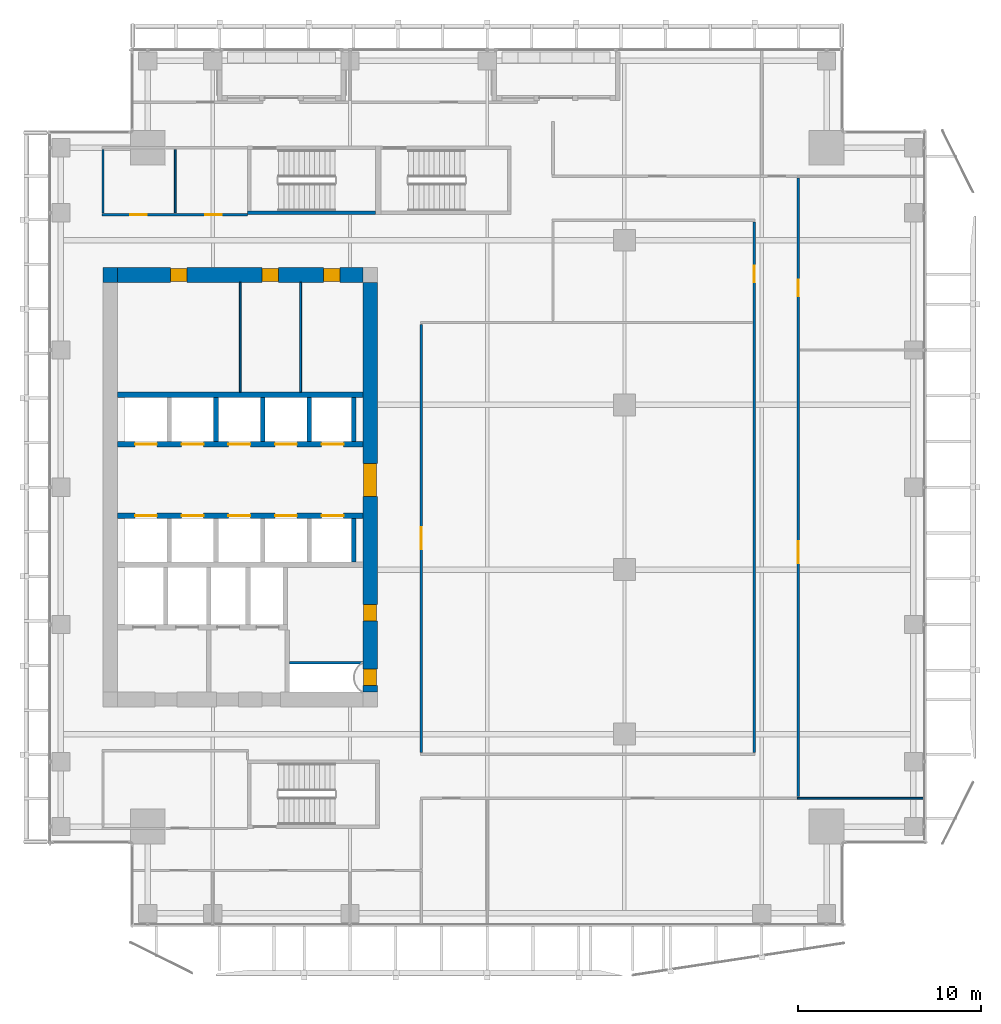
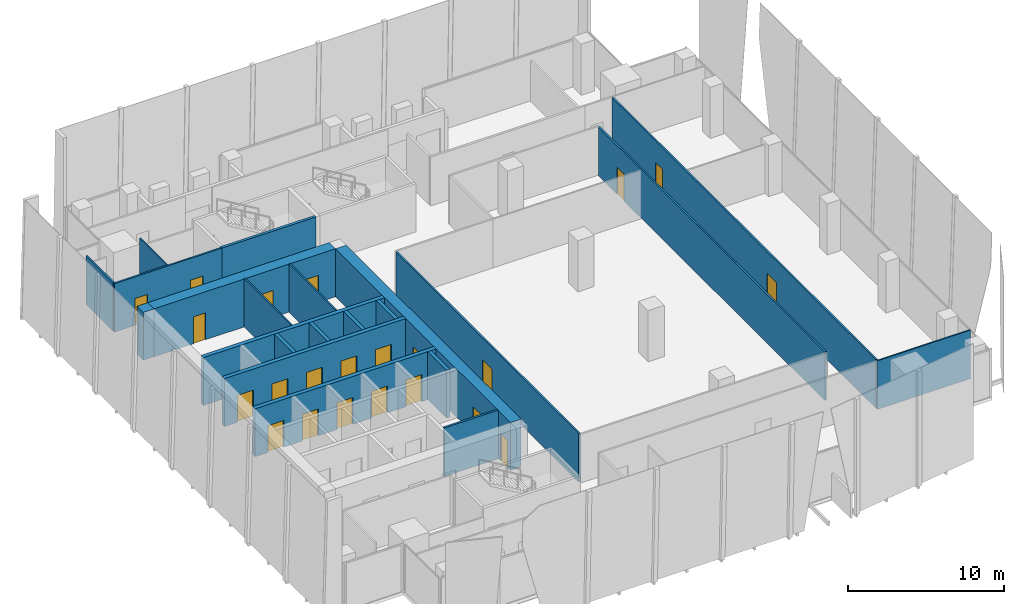
# One storey, part 29 of 35: 22 doors, 22 walls, 22 openings.
"""IFC4 building model written with IfcOpenShell, lengths in metres."""

import ifcopenshell
import ifcopenshell.guid

model = None  # the IFC model being written
_history = None  # IfcOwnerHistory: only IFC2X3 demands one
_inside = {}  # id of a spatial element -> (the spatial element, [elements in it])
_under = {}  # id of a project, library or spatial element -> (it, [spatial elements below it])
_declared = {}  # id of a project -> (the project, [libraries it declares])
_typed = {}  # id of a type object -> (the type object, [elements of that type])
_made_of = {}  # id of a material, layer set ... -> (it, [elements and type objects made of it])


def new_model(schema):
    """Start an empty IFC model of exactly this schema.

    Asked for "IFC4X3", IfcOpenShell would pick the latest addendum, in which some entities
    have other attributes; the version numbers below select the first issue.
    IFC2X3 requires an IfcOwnerHistory on every rooted entity: one is made here for all.
    """
    global model, _history
    if schema == "IFC4X3":
        model = ifcopenshell.file(schema_version=(4, 3, 0, 0))
    else:
        model = ifcopenshell.file(schema=schema)
    _inside.clear()
    _under.clear()
    _declared.clear()
    _typed.clear()
    _made_of.clear()
    _history = None
    if model.schema == "IFC2X3":
        org = make("IfcOrganization", Name="unknown")
        user = make(
            "IfcPersonAndOrganization",
            ThePerson=make("IfcPerson", FamilyName="unknown"),
            TheOrganization=org,
        )
        app = make(
            "IfcApplication",
            ApplicationDeveloper=org,
            Version="unknown",
            ApplicationFullName="unknown",
            ApplicationIdentifier="unknown",
        )
        _history = make(
            "IfcOwnerHistory",
            OwningUser=user,
            OwningApplication=app,
            ChangeAction="ADDED",
            CreationDate=0,
        )
    return model


def make(cls, **values):
    """One entity of the class cls with the attributes given. An attribute that is None is left unset."""
    return model.create_entity(
        cls, **{name: value for name, value in values.items() if value is not None}
    )


def rooted(cls, **values):
    """An entity with a GlobalId (a new one), such as an element, a storey or a relation."""
    return make(cls, GlobalId=ifcopenshell.guid.new(), OwnerHistory=_history, **values)


def si_unit(unit_type, name, prefix=None):
    """IfcSIUnit, for example si_unit("LENGTHUNIT", "METRE", prefix="MILLI")."""
    return make("IfcSIUnit", UnitType=unit_type, Prefix=prefix, Name=name)


def assignment(units):
    """IfcUnitAssignment: the units of a project."""
    return None if units is None else make("IfcUnitAssignment", Units=units)


def point(xyz):
    """IfcCartesianPoint."""
    return None if xyz is None else make("IfcCartesianPoint", Coordinates=xyz)


def direction(xyz):
    """IfcDirection."""
    return None if xyz is None else make("IfcDirection", DirectionRatios=xyz)


def frame(location, z_axis=None, x_axis=None):
    """IfcAxis2Placement3D, a coordinate frame: its origin and axes. An axis left out is left unset."""
    return make(
        "IfcAxis2Placement3D",
        Location=point(location),
        Axis=direction(z_axis),
        RefDirection=direction(x_axis),
    )


def frame_2d(location, x_axis=None):
    """IfcAxis2Placement2D, a coordinate frame in the plane: its origin and x axis."""
    return make(
        "IfcAxis2Placement2D", Location=point(location), RefDirection=direction(x_axis)
    )


def origin():
    """The frame at (0, 0, 0) with its axes left unset."""
    return frame((0.0, 0.0, 0.0))


def place(relative_to, where):
    """IfcLocalPlacement: puts the frame where relative to a parent placement (None: the world)."""
    return make(
        "IfcLocalPlacement", PlacementRelTo=relative_to, RelativePlacement=where
    )


def context(
    kind, dimensions, precision=None, world=None, true_north=None, identifier=None
):
    """IfcGeometricRepresentationContext, for example the 3D "Model" context."""
    return make(
        "IfcGeometricRepresentationContext",
        ContextIdentifier=identifier,
        ContextType=kind,
        CoordinateSpaceDimension=dimensions,
        Precision=precision,
        WorldCoordinateSystem=world,
        TrueNorth=true_north,
    )


def subcontext(parent, identifier, kind, view, scale=None):
    """IfcGeometricRepresentationSubContext, for example "Body" below "Model"."""
    return make(
        "IfcGeometricRepresentationSubContext",
        ContextIdentifier=identifier,
        ContextType=kind,
        ParentContext=parent,
        TargetScale=scale,
        TargetView=view,
    )


def project(units=None, contexts=None):
    """IfcProject with its units and contexts."""
    return rooted(
        "IfcProject",
        Name="project",
        RepresentationContexts=contexts,
        UnitsInContext=assignment(units),
    )


def spatial(cls, under=None, at=None, **own):
    """A site, building, storey or space (cls), placed at a placement, below another one or the project."""
    s = rooted(cls, ObjectPlacement=at, **own)
    if under is not None:
        _under.setdefault(under.id(), (under, []))[1].append(s)
    return s


def profile(cls, at=None, kind="AREA", **sizes):
    """A parametric profile (cls). Its sizes go by their IFC names, for example OverallWidth=200.0."""
    return make(cls, ProfileType=kind, Position=at, **sizes)


def rectangle(**sizes):
    """IfcRectangleProfileDef."""
    return profile("IfcRectangleProfileDef", **sizes)


def extrude(swept, where, along, depth):
    """IfcExtrudedAreaSolid: the profile swept, set in the frame where, extruded along a direction by depth."""
    return make(
        "IfcExtrudedAreaSolid",
        SweptArea=swept,
        Position=where,
        ExtrudedDirection=direction(along),
        Depth=depth,
    )


def shape(context_of_items, identifier, shape_type, items):
    """IfcShapeRepresentation: the items that make up one representation, for example the "Body"."""
    return make(
        "IfcShapeRepresentation",
        ContextOfItems=context_of_items,
        RepresentationIdentifier=identifier,
        RepresentationType=shape_type,
        Items=items,
    )


def source(mapping_origin, context_of_items, identifier, shape_type, items):
    """IfcRepresentationMap: a shape defined once, which mapped items show again and again."""
    return make(
        "IfcRepresentationMap",
        MappingOrigin=mapping_origin,
        MappedRepresentation=shape(context_of_items, identifier, shape_type, items),
    )


def transform(
    local_origin,
    x_axis=None,
    y_axis=None,
    z_axis=None,
    scale=None,
    scale2=None,
    scale3=None,
    uniform=True,
):
    """IfcCartesianTransformationOperator3D, or its non-uniform kind. x_axis, y_axis, z_axis: its Axis1, 2, 3."""
    if uniform:
        return make(
            "IfcCartesianTransformationOperator3D",
            Axis1=direction(x_axis),
            Axis2=direction(y_axis),
            LocalOrigin=point(local_origin),
            Scale=scale,
            Axis3=direction(z_axis),
        )
    return make(
        "IfcCartesianTransformationOperator3DnonUniform",
        Axis1=direction(x_axis),
        Axis2=direction(y_axis),
        LocalOrigin=point(local_origin),
        Scale=scale,
        Axis3=direction(z_axis),
        Scale2=scale2,
        Scale3=scale3,
    )


def mapped(mapping_source, mapping_target):
    """IfcMappedItem: shows the shape of a source again, moved by a transform."""
    return make(
        "IfcMappedItem", MappingSource=mapping_source, MappingTarget=mapping_target
    )


def material(Name=None, Category=None):
    """IfcMaterial."""
    return make("IfcMaterial", Name=Name, Category=Category)


def layer(
    of_material, thickness, ventilated=None, Name=None, Category=None, Priority=None
):
    """IfcMaterialLayer: one layer of a wall or slab, of a material (None: an air gap)."""
    return make(
        "IfcMaterialLayer",
        Material=of_material,
        LayerThickness=thickness,
        IsVentilated=ventilated,
        Name=Name,
        Category=Category,
        Priority=Priority,
    )


def layer_set(layers, Name=None):
    """IfcMaterialLayerSet."""
    return make("IfcMaterialLayerSet", MaterialLayers=layers, LayerSetName=Name)


def made_of(thing, what):
    """Note that an element or type object is made of a material, layer set ...; save() writes the relation."""
    if what is not None:
        _made_of.setdefault(what.id(), (what, []))[1].append(thing)
    return thing


def type_object(cls, material=None, **own):
    """A type object (cls), such as IfcWallType, which elements share."""
    return made_of(rooted(cls, **own), material)


def element(
    cls,
    number,
    at=None,
    inside=None,
    cuts=None,
    type_object=None,
    material=None,
    context=None,
    identifier="Body",
    shape_type=None,
    held_by="IfcProductDefinitionShape",
    body=None,
    shapes=None,
    **own,
):
    """One element of the class cls, such as IfcWall. Its Tag is "e" and its number.

    at: its placement. inside: the storey or other place that contains it. cuts: it is an
    opening in that element (IfcRelVoidsElement). A single representation is given by context,
    identifier, shape_type and body (its items); several are given by shapes. held_by: the class
    of the entity that holds the representations. save() writes the other relations.
    """
    e = rooted(cls, Tag="e%d" % number, ObjectPlacement=at, **own)
    if body is not None:
        shapes = [shape(context, identifier, shape_type, body)]
    if shapes is not None:
        e.Representation = make(held_by, Representations=shapes)
    if inside is not None:
        _inside.setdefault(inside.id(), (inside, []))[1].append(e)
    if cuts is not None:
        rooted(
            "IfcRelVoidsElement", RelatingBuildingElement=cuts, RelatedOpeningElement=e
        )
    if type_object is not None:
        _typed.setdefault(type_object.id(), (type_object, []))[1].append(e)
    return made_of(e, material)


def fill(opening, filler):
    """IfcRelFillsElement: the door or window that sits in an opening."""
    return rooted(
        "IfcRelFillsElement",
        RelatingOpeningElement=opening,
        RelatedBuildingElement=filler,
    )


def aggregate(whole, parts):
    """IfcRelAggregates: a whole, such as a stair, and the parts it consists of."""
    return rooted("IfcRelAggregates", RelatingObject=whole, RelatedObjects=parts)


def save(model, path):
    """Write the relations noted so far, then the file.

    IfcRelAggregates (storeys below a building ...), IfcRelContainedInSpatialStructure (elements
    in a storey), IfcRelDefinesByType, IfcRelAssociatesMaterial and IfcRelDeclares: one each for
    every whole, place, type object, material and project.
    """
    for whole, parts in _under.values():
        aggregate(whole, parts)
    for where, things in _inside.values():
        rooted(
            "IfcRelContainedInSpatialStructure",
            RelatedElements=things,
            RelatingStructure=where,
        )
    for kind, things in _typed.values():
        rooted("IfcRelDefinesByType", RelatedObjects=things, RelatingType=kind)
    for what, things in _made_of.values():
        rooted("IfcRelAssociatesMaterial", RelatedObjects=things, RelatingMaterial=what)
    for by, libraries in _declared.values():
        rooted("IfcRelDeclares", RelatingContext=by, RelatedDefinitions=libraries)
    model.write(path)


model = new_model("IFC4")

# Units and contexts
model_context = context("Model", 3, precision=1e-05, world=origin(), true_north=direction((0.0, 1.0)))
body_context = subcontext(model_context, "Body", "Model", "MODEL_VIEW")
ifc_project = project(units=[si_unit("LENGTHUNIT", "METRE"), si_unit("AREAUNIT", "SQUARE_METRE"), si_unit("VOLUMEUNIT", "CUBIC_METRE"), si_unit("PLANEANGLEUNIT", "RADIAN"), si_unit("MASSUNIT", "GRAM", prefix="KILO")], contexts=[model_context])

# Site, building, storey
site_placement = place(None, origin())
site = spatial("IfcSite", under=ifc_project, at=site_placement, CompositionType="ELEMENT")
building_placement = place(site_placement, origin())
building = spatial("IfcBuilding", under=site, at=building_placement, Name="Khomas Fold Tower", CompositionType="ELEMENT")
storey_placement = place(building_placement, frame((0.0, 0.0, 212.699951171875)))
storey = spatial("IfcBuildingStorey", under=building, at=storey_placement, Name="L47", CompositionType="ELEMENT", Elevation=212.699951171875)

# Wall, openings, doors
ifc_material_1 = material(Name="Concrete C60/75", Category="concrete")
ifc_layer_1 = layer(ifc_material_1, 0.800048828125)
ifc_layer_set_1 = layer_set([ifc_layer_1], Name="Concrete C60/75")
wall_type_1 = type_object("IfcWallType", Name="Core wall 800", PredefinedType="SHEAR", material=ifc_layer_set_1)
shared_shape_1 = source(origin(), body_context, "Body", "SweptSolid", [
    extrude(rectangle(XDim=13.39990234375, YDim=0.800048828125, at=frame_2d((6.699951171875, 0.0))), origin(), (0.0, 0.0, 1.0), 3.75),
])
wall_1_placement = place(storey_placement, frame((6.800048828125, 38.60009765625, 0.0), z_axis=(0.0, 0.0, 1.0), x_axis=(1.0, 0.0, 0.0)))
wall_1 = element("IfcWall", 1, at=wall_1_placement, inside=storey, type_object=wall_type_1, Name="Core wall CW-U-N-L35", PredefinedType="SHEAR", context=body_context, shape_type="MappedRepresentation", body=[
    mapped(shared_shape_1, transform((0.0, 0.0, 0.0))),
])
shared_shape_2 = source(origin(), body_context, "Body", "SweptSolid", [
    extrude(rectangle(XDim=0.89990234375, YDim=2.10009765625, at=frame_2d((0.449951171875, 1.050048828125))), frame((0.0, 0.409912109375, 0.0), z_axis=(0.0, -1.0, 0.0), x_axis=(1.0, 0.0, 0.0)), (0.0, 0.0, 1.0), 0.820068359375),
])
opening_1_placement = place(wall_1_placement, frame((2.89990234375, 0.0, 0.0)))
opening_1 = element("IfcOpeningElement", 2, at=opening_1_placement, cuts=wall_1, Name="Opening 0008", PredefinedType="OPENING", context=body_context, shape_type="MappedRepresentation", body=[
    mapped(shared_shape_2, transform((0.0, 0.0, 0.0))),
])
opening_2_placement = place(wall_1_placement, frame((7.89990234375, 0.0, 0.0)))
opening_2 = element("IfcOpeningElement", 3, at=opening_2_placement, cuts=wall_1, Name="Opening 0008", PredefinedType="OPENING", context=body_context, shape_type="MappedRepresentation", body=[
    mapped(shared_shape_2, transform((0.0, 0.0, 0.0))),
])
opening_3_placement = place(wall_1_placement, frame((11.25, 0.0, 0.0)))
opening_3 = element("IfcOpeningElement", 4, at=opening_3_placement, cuts=wall_1, Name="Opening 0008", PredefinedType="OPENING", context=body_context, shape_type="MappedRepresentation", body=[
    mapped(shared_shape_2, transform((0.0, 0.0, 0.0))),
])
ifc_material_2 = material(Name="Timber door leaf", Category="wood")
door_type_1 = type_object("IfcDoorType", Name="Door 900x2100 right-hand", OperationType="SINGLE_SWING_RIGHT", PredefinedType="DOOR", material=ifc_material_2)
shared_shape_3 = source(origin(), body_context, "Body", "SweptSolid", [
    extrude(rectangle(XDim=0.89990234375, YDim=2.10009765625, at=frame_2d((0.449951171875, 1.050048828125))), frame((0.0, 0.35009765625, 0.0), z_axis=(0.0, -1.0, 0.0), x_axis=(1.0, 0.0, 0.0)), (0.0, 0.0, 1.0), 0.699951171875),
])
door_1_placement = place(opening_1_placement, origin())
door_1 = element("IfcDoor", 5, at=door_1_placement, inside=storey, type_object=door_type_1, Name="Door", OperationType="SINGLE_SWING_RIGHT", OverallHeight=2.10009765625, OverallWidth=0.89990234375, PredefinedType="DOOR", context=body_context, shape_type="MappedRepresentation", body=[
    mapped(shared_shape_3, transform((0.0, 0.0, 0.0))),
])
fill(opening_1, door_1)
door_2_placement = place(opening_2_placement, origin())
door_2 = element("IfcDoor", 6, at=door_2_placement, inside=storey, type_object=door_type_1, Name="Door", OperationType="SINGLE_SWING_RIGHT", OverallHeight=2.10009765625, OverallWidth=0.89990234375, PredefinedType="DOOR", context=body_context, shape_type="MappedRepresentation", body=[
    mapped(shared_shape_3, transform((0.0, 0.0, 0.0))),
])
fill(opening_2, door_2)
door_3_placement = place(opening_3_placement, origin())
door_3 = element("IfcDoor", 7, at=door_3_placement, inside=storey, type_object=door_type_1, Name="Door", OperationType="SINGLE_SWING_RIGHT", OverallHeight=2.10009765625, OverallWidth=0.89990234375, PredefinedType="DOOR", context=body_context, shape_type="MappedRepresentation", body=[
    mapped(shared_shape_3, transform((0.0, 0.0, 0.0))),
])
fill(opening_3, door_3)

# Wall
ifc_material_3 = material(Name="Concrete C60/75", Category="concrete")
ifc_layer_2 = layer(ifc_material_3, 0.800048828125)
ifc_layer_set_2 = layer_set([ifc_layer_2], Name="Concrete C60/75")
wall_type_2 = type_object("IfcWallType", Name="Core corner wall 800", PredefinedType="SHEAR", material=ifc_layer_set_2)
shared_shape_4 = source(origin(), body_context, "Body", "SweptSolid", [
    extrude(rectangle(XDim=0.800048828125, YDim=0.800048828125, at=frame_2d((0.39990234375, 0.0))), origin(), (0.0, 0.0, 1.0), 3.75),
])
wall_2_placement = place(storey_placement, frame((6.0, 38.60009765625, 0.0), z_axis=(0.0, 0.0, 1.0), x_axis=(1.0, 0.0, 0.0)))
element("IfcWall", 8, at=wall_2_placement, inside=storey, type_object=wall_type_2, Name="Core wall CW-U-NW-L35", PredefinedType="SHEAR", context=body_context, shape_type="MappedRepresentation", body=[
    mapped(shared_shape_4, transform((0.0, 0.0, 0.0))),
])

# Wall, openings, doors
shared_shape_5 = source(origin(), body_context, "Body", "SweptSolid", [
    extrude(rectangle(XDim=22.39990234375, YDim=0.800048828125, at=frame_2d((11.199951171875, 0.0))), origin(), (0.0, 0.0, 1.0), 3.75),
])
wall_3_placement = place(storey_placement, frame((20.60009765625, 15.800048828125, 0.0), z_axis=(0.0, 0.0, 1.0), x_axis=(0.0, 1.0, 0.0)))
wall_3 = element("IfcWall", 9, at=wall_3_placement, inside=storey, type_object=wall_type_1, Name="Core wall CW-U-E-L35", PredefinedType="SHEAR", context=body_context, shape_type="MappedRepresentation", body=[
    mapped(shared_shape_5, transform((0.0, 0.0, 0.0))),
])
shared_shape_6 = source(origin(), body_context, "Body", "SweptSolid", [
    extrude(rectangle(XDim=1.800048828125, YDim=2.10009765625, at=frame_2d((0.89990234375, 1.050048828125))), frame((0.0, 0.409912109375, 0.0), z_axis=(0.0, -1.0, 0.0), x_axis=(1.0, 0.0, 0.0)), (0.0, 0.0, 1.0), 0.820068359375),
])
opening_4_placement = place(wall_3_placement, frame((10.699951171875, 0.0, 0.0)))
opening_4 = element("IfcOpeningElement", 10, at=opening_4_placement, cuts=wall_3, Name="Opening 0015", PredefinedType="OPENING", context=body_context, shape_type="MappedRepresentation", body=[
    mapped(shared_shape_6, transform((0.0, 0.0, 0.0))),
])
opening_5_placement = place(wall_3_placement, frame((0.35009765625, 0.0, 0.0)))
opening_5 = element("IfcOpeningElement", 11, at=opening_5_placement, cuts=wall_3, Name="Opening 0003", PredefinedType="OPENING", context=body_context, shape_type="MappedRepresentation", body=[
    mapped(shared_shape_2, transform((0.0, 0.0, 0.0))),
])
opening_6_placement = place(wall_3_placement, frame((3.89990234375, 0.0, 0.0)))
opening_6 = element("IfcOpeningElement", 12, at=opening_6_placement, cuts=wall_3, Name="Opening 0008", PredefinedType="OPENING", context=body_context, shape_type="MappedRepresentation", body=[
    mapped(shared_shape_2, transform((0.0, 0.0, 0.0))),
])
ifc_material_4 = material(Name="Steel door leaf", Category="steel")
door_type_2 = type_object("IfcDoorType", Name="Lobby door 1800x2100", OperationType="DOUBLE_DOOR_SINGLE_SWING", PredefinedType="DOOR", material=ifc_material_4)
shared_shape_7 = source(origin(), body_context, "Body", "SweptSolid", [
    extrude(rectangle(XDim=1.800048828125, YDim=2.10009765625, at=frame_2d((0.89990234375, 1.050048828125))), frame((0.0, 0.35009765625, 0.0), z_axis=(0.0, -1.0, 0.0), x_axis=(1.0, 0.0, 0.0)), (0.0, 0.0, 1.0), 0.699951171875),
])
door_4_placement = place(opening_4_placement, origin())
door_4 = element("IfcDoor", 13, at=door_4_placement, inside=storey, type_object=door_type_2, Name="Lobby door", OperationType="DOUBLE_DOOR_SINGLE_SWING", OverallHeight=2.10009765625, OverallWidth=1.800048828125, PredefinedType="DOOR", context=body_context, shape_type="MappedRepresentation", body=[
    mapped(shared_shape_7, transform((0.0, 0.0, 0.0))),
])
fill(opening_4, door_4)
ifc_material_5 = material(Name="Steel door leaf", Category="steel")
door_type_3 = type_object("IfcDoorType", Name="Plant room door 900x2100 right-hand", OperationType="SINGLE_SWING_RIGHT", PredefinedType="DOOR", material=ifc_material_5)
door_5_placement = place(opening_5_placement, origin())
door_5 = element("IfcDoor", 14, at=door_5_placement, inside=storey, type_object=door_type_3, Name="Plant room door", OperationType="SINGLE_SWING_RIGHT", OverallHeight=2.10009765625, OverallWidth=0.89990234375, PredefinedType="DOOR", context=body_context, shape_type="MappedRepresentation", body=[
    mapped(shared_shape_3, transform((0.0, 0.0, 0.0))),
])
fill(opening_5, door_5)
door_6_placement = place(opening_6_placement, origin())
door_6 = element("IfcDoor", 15, at=door_6_placement, inside=storey, type_object=door_type_1, Name="Door", OperationType="SINGLE_SWING_RIGHT", OverallHeight=2.10009765625, OverallWidth=0.89990234375, PredefinedType="DOOR", context=body_context, shape_type="MappedRepresentation", body=[
    mapped(shared_shape_3, transform((0.0, 0.0, 0.0))),
])
fill(opening_6, door_6)

# Walls
ifc_material_6 = material(Name="Concrete C50/60", Category="concrete")
ifc_layer_3 = layer(ifc_material_6, 0.199951171875)
ifc_layer_set_3 = layer_set([ifc_layer_3], Name="Concrete C50/60")
wall_type_3 = type_object("IfcWallType", Name="Stair wall 200", PredefinedType="SHEAR", material=ifc_layer_set_3)
shared_shape_8 = source(origin(), body_context, "Body", "SweptSolid", [
    extrude(rectangle(XDim=7.0, YDim=0.199951171875, at=frame_2d((3.5, 0.0))), origin(), (0.0, 0.0, 1.0), 3.75),
])
wall_4_placement = place(storey_placement, frame((13.89990234375, 42.0, 0.0), z_axis=(0.0, 0.0, 1.0), x_axis=(1.0, 0.0, 0.0)))
element("IfcWall", 16, at=wall_4_placement, inside=storey, type_object=wall_type_3, Name="Stair wall SW-ST1-S", PredefinedType="SHEAR", context=body_context, shape_type="MappedRepresentation", body=[
    mapped(shared_shape_8, transform((0.0, 0.0, 0.0))),
])
ifc_material_7 = material(Name="Concrete C50/60", Category="concrete")
ifc_layer_4 = layer(ifc_material_7, 0.300048828125)
ifc_layer_set_4 = layer_set([ifc_layer_4], Name="Concrete C50/60")
wall_type_4 = type_object("IfcWallType", Name="Shaft wall 300", PredefinedType="STANDARD", material=ifc_layer_set_4)
shared_shape_9 = source(origin(), body_context, "Body", "SweptSolid", [
    extrude(rectangle(XDim=13.39990234375, YDim=0.300048828125, at=frame_2d((6.699951171875, 0.0))), origin(), (0.0, 0.0, 1.0), 3.75),
])
wall_5_placement = place(storey_placement, frame((6.800048828125, 32.050048828125, 0.0), z_axis=(0.0, 0.0, 1.0), x_axis=(1.0, 0.0, 0.0)))
element("IfcWall", 17, at=wall_5_placement, inside=storey, type_object=wall_type_4, Name="Core wall SW-HRN-B", PredefinedType="STANDARD", context=body_context, shape_type="MappedRepresentation", body=[
    mapped(shared_shape_9, transform((0.0, 0.0, 0.0))),
])

# Wall, openings, doors
wall_6_placement = place(storey_placement, frame((6.800048828125, 29.35009765625, 0.0), z_axis=(0.0, 0.0, 1.0), x_axis=(1.0, 0.0, 0.0)))
wall_6 = element("IfcWall", 18, at=wall_6_placement, inside=storey, type_object=wall_type_4, Name="Core wall SW-HRN-F", PredefinedType="STANDARD", context=body_context, shape_type="MappedRepresentation", body=[
    mapped(shared_shape_9, transform((0.0, 0.0, 0.0))),
])
shared_shape_10 = source(origin(), body_context, "Body", "SweptSolid", [
    extrude(rectangle(XDim=1.199951171875, YDim=2.10009765625, at=frame_2d((0.60009765625, 1.050048828125))), frame((0.0, 0.159912109375, 0.0), z_axis=(0.0, -1.0, 0.0), x_axis=(1.0, 0.0, 0.0)), (0.0, 0.0, 1.0), 0.320068359375),
])
opening_7_placement = place(wall_6_placement, frame((0.949951171875, 0.0, 0.0)))
opening_7 = element("IfcOpeningElement", 19, at=opening_7_placement, cuts=wall_6, Name="Opening LD-HR4", PredefinedType="OPENING", context=body_context, shape_type="MappedRepresentation", body=[
    mapped(shared_shape_10, transform((0.0, 0.0, 0.0))),
])
opening_8_placement = place(wall_6_placement, frame((3.5, 0.0, 0.0)))
opening_8 = element("IfcOpeningElement", 20, at=opening_8_placement, cuts=wall_6, Name="Opening LD-HR5", PredefinedType="OPENING", context=body_context, shape_type="MappedRepresentation", body=[
    mapped(shared_shape_10, transform((0.0, 0.0, 0.0))),
])
opening_9_placement = place(wall_6_placement, frame((6.050048828125, 0.0, 0.0)))
opening_9 = element("IfcOpeningElement", 21, at=opening_9_placement, cuts=wall_6, Name="Opening LD-HR6", PredefinedType="OPENING", context=body_context, shape_type="MappedRepresentation", body=[
    mapped(shared_shape_10, transform((0.0, 0.0, 0.0))),
])
opening_10_placement = place(wall_6_placement, frame((8.60009765625, 0.0, 0.0)))
opening_10 = element("IfcOpeningElement", 22, at=opening_10_placement, cuts=wall_6, Name="Opening LD-MR3", PredefinedType="OPENING", context=body_context, shape_type="MappedRepresentation", body=[
    mapped(shared_shape_10, transform((0.0, 0.0, 0.0))),
])
opening_11_placement = place(wall_6_placement, frame((11.14990234375, 0.0, 0.0)))
opening_11 = element("IfcOpeningElement", 23, at=opening_11_placement, cuts=wall_6, Name="Opening LD-MR4", PredefinedType="OPENING", context=body_context, shape_type="MappedRepresentation", body=[
    mapped(shared_shape_10, transform((0.0, 0.0, 0.0))),
])
ifc_material_8 = material(Name="Steel door leaf", Category="steel")
door_type_4 = type_object("IfcDoorType", Name="Landing door 1200x2100", OperationType="DOUBLE_DOOR_SLIDING", PredefinedType="DOOR", material=ifc_material_8)
shared_shape_11 = source(origin(), body_context, "Body", "SweptSolid", [
    extrude(rectangle(XDim=1.199951171875, YDim=2.10009765625, at=frame_2d((0.60009765625, 1.050048828125))), frame((0.0, 0.02490234375, 0.0), z_axis=(0.0, -1.0, 0.0), x_axis=(1.0, 0.0, 0.0)), (0.0, 0.0, 1.0), 0.050048828125),
])
door_7_placement = place(opening_7_placement, origin())
door_7 = element("IfcDoor", 24, at=door_7_placement, inside=storey, type_object=door_type_4, Name="Lift landing door", OperationType="DOUBLE_DOOR_SLIDING", OverallHeight=2.10009765625, OverallWidth=1.199951171875, PredefinedType="DOOR", context=body_context, shape_type="MappedRepresentation", body=[
    mapped(shared_shape_11, transform((0.0, 0.0, 0.0))),
])
fill(opening_7, door_7)
door_8_placement = place(opening_8_placement, origin())
door_8 = element("IfcDoor", 25, at=door_8_placement, inside=storey, type_object=door_type_4, Name="Lift landing door", OperationType="DOUBLE_DOOR_SLIDING", OverallHeight=2.10009765625, OverallWidth=1.199951171875, PredefinedType="DOOR", context=body_context, shape_type="MappedRepresentation", body=[
    mapped(shared_shape_11, transform((0.0, 0.0, 0.0))),
])
fill(opening_8, door_8)
door_9_placement = place(opening_9_placement, origin())
door_9 = element("IfcDoor", 26, at=door_9_placement, inside=storey, type_object=door_type_4, Name="Lift landing door", OperationType="DOUBLE_DOOR_SLIDING", OverallHeight=2.10009765625, OverallWidth=1.199951171875, PredefinedType="DOOR", context=body_context, shape_type="MappedRepresentation", body=[
    mapped(shared_shape_11, transform((0.0, 0.0, 0.0))),
])
fill(opening_9, door_9)
door_10_placement = place(opening_10_placement, origin())
door_10 = element("IfcDoor", 27, at=door_10_placement, inside=storey, type_object=door_type_4, Name="Lift landing door", OperationType="DOUBLE_DOOR_SLIDING", OverallHeight=2.10009765625, OverallWidth=1.199951171875, PredefinedType="DOOR", context=body_context, shape_type="MappedRepresentation", body=[
    mapped(shared_shape_11, transform((0.0, 0.0, 0.0))),
])
fill(opening_10, door_10)
door_11_placement = place(opening_11_placement, origin())
door_11 = element("IfcDoor", 28, at=door_11_placement, inside=storey, type_object=door_type_4, Name="Lift landing door", OperationType="DOUBLE_DOOR_SLIDING", OverallHeight=2.10009765625, OverallWidth=1.199951171875, PredefinedType="DOOR", context=body_context, shape_type="MappedRepresentation", body=[
    mapped(shared_shape_11, transform((0.0, 0.0, 0.0))),
])
fill(opening_11, door_11)

wall_7_placement = place(storey_placement, frame((6.800048828125, 25.449951171875, 0.0), z_axis=(0.0, 0.0, 1.0), x_axis=(1.0, 0.0, 0.0)))
wall_7 = element("IfcWall", 29, at=wall_7_placement, inside=storey, type_object=wall_type_4, Name="Core wall SW-HRS-F", PredefinedType="STANDARD", context=body_context, shape_type="MappedRepresentation", body=[
    mapped(shared_shape_9, transform((0.0, 0.0, 0.0))),
])
opening_12_placement = place(wall_7_placement, frame((0.949951171875, 0.0, 0.0)))
opening_12 = element("IfcOpeningElement", 30, at=opening_12_placement, cuts=wall_7, Name="Opening LD-HR1", PredefinedType="OPENING", context=body_context, shape_type="MappedRepresentation", body=[
    mapped(shared_shape_10, transform((0.0, 0.0, 0.0))),
])
opening_13_placement = place(wall_7_placement, frame((3.5, 0.0, 0.0)))
opening_13 = element("IfcOpeningElement", 31, at=opening_13_placement, cuts=wall_7, Name="Opening LD-HR2", PredefinedType="OPENING", context=body_context, shape_type="MappedRepresentation", body=[
    mapped(shared_shape_10, transform((0.0, 0.0, 0.0))),
])
opening_14_placement = place(wall_7_placement, frame((6.050048828125, 0.0, 0.0)))
opening_14 = element("IfcOpeningElement", 32, at=opening_14_placement, cuts=wall_7, Name="Opening LD-HR3", PredefinedType="OPENING", context=body_context, shape_type="MappedRepresentation", body=[
    mapped(shared_shape_10, transform((0.0, 0.0, 0.0))),
])
opening_15_placement = place(wall_7_placement, frame((8.60009765625, 0.0, 0.0)))
opening_15 = element("IfcOpeningElement", 33, at=opening_15_placement, cuts=wall_7, Name="Opening LD-MR1", PredefinedType="OPENING", context=body_context, shape_type="MappedRepresentation", body=[
    mapped(shared_shape_10, transform((0.0, 0.0, 0.0))),
])
opening_16_placement = place(wall_7_placement, frame((11.14990234375, 0.0, 0.0)))
opening_16 = element("IfcOpeningElement", 34, at=opening_16_placement, cuts=wall_7, Name="Opening LD-MR2", PredefinedType="OPENING", context=body_context, shape_type="MappedRepresentation", body=[
    mapped(shared_shape_10, transform((0.0, 0.0, 0.0))),
])
door_12_placement = place(opening_12_placement, origin())
door_12 = element("IfcDoor", 35, at=door_12_placement, inside=storey, type_object=door_type_4, Name="Lift landing door", OperationType="DOUBLE_DOOR_SLIDING", OverallHeight=2.10009765625, OverallWidth=1.199951171875, PredefinedType="DOOR", context=body_context, shape_type="MappedRepresentation", body=[
    mapped(shared_shape_11, transform((0.0, 0.0, 0.0))),
])
fill(opening_12, door_12)
door_13_placement = place(opening_13_placement, origin())
door_13 = element("IfcDoor", 36, at=door_13_placement, inside=storey, type_object=door_type_4, Name="Lift landing door", OperationType="DOUBLE_DOOR_SLIDING", OverallHeight=2.10009765625, OverallWidth=1.199951171875, PredefinedType="DOOR", context=body_context, shape_type="MappedRepresentation", body=[
    mapped(shared_shape_11, transform((0.0, 0.0, 0.0))),
])
fill(opening_13, door_13)
door_14_placement = place(opening_14_placement, origin())
door_14 = element("IfcDoor", 37, at=door_14_placement, inside=storey, type_object=door_type_4, Name="Lift landing door", OperationType="DOUBLE_DOOR_SLIDING", OverallHeight=2.10009765625, OverallWidth=1.199951171875, PredefinedType="DOOR", context=body_context, shape_type="MappedRepresentation", body=[
    mapped(shared_shape_11, transform((0.0, 0.0, 0.0))),
])
fill(opening_14, door_14)
door_15_placement = place(opening_15_placement, origin())
door_15 = element("IfcDoor", 38, at=door_15_placement, inside=storey, type_object=door_type_4, Name="Lift landing door", OperationType="DOUBLE_DOOR_SLIDING", OverallHeight=2.10009765625, OverallWidth=1.199951171875, PredefinedType="DOOR", context=body_context, shape_type="MappedRepresentation", body=[
    mapped(shared_shape_11, transform((0.0, 0.0, 0.0))),
])
fill(opening_15, door_15)
door_16_placement = place(opening_16_placement, origin())
door_16 = element("IfcDoor", 39, at=door_16_placement, inside=storey, type_object=door_type_4, Name="Lift landing door", OperationType="DOUBLE_DOOR_SLIDING", OverallHeight=2.10009765625, OverallWidth=1.199951171875, PredefinedType="DOOR", context=body_context, shape_type="MappedRepresentation", body=[
    mapped(shared_shape_11, transform((0.0, 0.0, 0.0))),
])
fill(opening_16, door_16)

# Walls
ifc_material_9 = material(Name="Concrete C50/60", Category="concrete")
ifc_layer_5 = layer(ifc_material_9, 0.25)
ifc_layer_set_5 = layer_set([ifc_layer_5], Name="Concrete C50/60")
wall_type_5 = type_object("IfcWallType", Name="Shaft wall 250", PredefinedType="STANDARD", material=ifc_layer_set_5)
shared_shape_12 = source(origin(), body_context, "Body", "SweptSolid", [
    extrude(rectangle(XDim=2.39990234375, YDim=0.25, at=frame_2d((1.199951171875, 0.0))), origin(), (0.0, 0.0, 1.0), 3.75),
])
for number, where, z_axis, x_axis, name in (
    (40, (17.27490234375, 29.5, 0.0), (0.0, 0.0, 1.0), (0.0, 1.0, 0.0), "Core wall SW-HRN-MR-P1"),
    (41, (19.699951171875, 29.5, 0.0), (0.0, 0.0, 1.0), (0.0, 1.0, 0.0), "Core wall SW-HRN-MR-PE"),
    (42, (12.175048828125, 29.5, 0.0), (0.0, 0.0, 1.0), (0.0, 1.0, 0.0), "Core wall SW-HRN-P2"),
    (43, (14.72509765625, 29.5, 0.0), (0.0, 0.0, 1.0), (0.0, 1.0, 0.0), "Core wall SW-HRN-PE"),
):
    element("IfcWall", number, at=place(storey_placement, frame(where, z_axis=z_axis, x_axis=x_axis)), inside=storey, type_object=wall_type_5, Name=name, PredefinedType="STANDARD", context=body_context, shape_type="MappedRepresentation", body=[
        mapped(shared_shape_12, transform((0.0, 0.0, 0.0))),
    ])
shared_shape_13 = source(origin(), body_context, "Body", "SweptSolid", [
    extrude(rectangle(XDim=2.400146484375, YDim=0.25, at=frame_2d((1.2001953125, 0.0))), origin(), (0.0, 0.0, 1.0), 3.75),
])
wall_8_placement = place(storey_placement, frame((19.699951171875, 22.89990234375, 0.0), z_axis=(0.0, 0.0, 1.0), x_axis=(0.0, 1.0, 0.0)))
element("IfcWall", 44, at=wall_8_placement, inside=storey, type_object=wall_type_5, Name="Core wall SW-HRS-MR-PE", PredefinedType="STANDARD", context=body_context, shape_type="MappedRepresentation", body=[
    mapped(shared_shape_13, transform((0.0, 0.0, 0.0))),
])
ifc_material_10 = material(Name="Plasterboard fire partition")
ifc_layer_6 = layer(ifc_material_10, 0.14990234375)
ifc_layer_set_6 = layer_set([ifc_layer_6], Name="Plasterboard fire partition")
wall_type_6 = type_object("IfcWallType", Name="Plant room wall PW3 150", PredefinedType="PARTITIONING", material=ifc_layer_set_6)
shared_shape_14 = source(origin(), body_context, "Body", "SweptSolid", [
    extrude(rectangle(XDim=4.0, YDim=0.14990234375, at=frame_2d((2.0, 0.0))), origin(), (0.0, 0.0, 1.0), 3.800048828125),
])
wall_9_placement = place(storey_placement, frame((16.199951171875, 17.39990234375, 0.0), z_axis=(0.0, 0.0, 1.0), x_axis=(1.0, 0.0, 0.0)))
element("IfcWall", 45, at=wall_9_placement, inside=storey, type_object=wall_type_6, Name="Plant room wall", PredefinedType="PARTITIONING", context=body_context, shape_type="MappedRepresentation", body=[
    mapped(shared_shape_14, transform((0.0, 0.0, 0.0))),
])
ifc_material_11 = material(Name="Plasterboard partition")
ifc_layer_7 = layer(ifc_material_11, 0.10009765625)
ifc_layer_set_7 = layer_set([ifc_layer_7], Name="Plasterboard partition")
wall_type_7 = type_object("IfcWallType", Name="Partition PW1 100", PredefinedType="PARTITIONING", material=ifc_layer_set_7)
shared_shape_15 = source(origin(), body_context, "Body", "SweptSolid", [
    extrude(rectangle(XDim=6.0, YDim=0.10009765625, at=frame_2d((3.0, 0.0))), origin(), (0.0, 0.0, 1.0), 3.800048828125),
])
for number, where, z_axis, x_axis, name in (
    (46, (13.5, 32.199951171875, 0.0), (0.0, 0.0, 1.0), (0.0, 1.0, 0.0), "Partition"),
    (47, (16.800048828125, 32.199951171875, 0.0), (0.0, 0.0, 1.0), (0.0, 1.0, 0.0), "Partition"),
):
    element("IfcWall", number, at=place(storey_placement, frame(where, z_axis=z_axis, x_axis=x_axis)), inside=storey, type_object=wall_type_7, Name=name, PredefinedType="PARTITIONING", context=body_context, shape_type="MappedRepresentation", body=[
        mapped(shared_shape_15, transform((0.0, 0.0, 0.0))),
    ])

# Wall, openings, doors
ifc_material_12 = material(Name="Plasterboard partition")
ifc_layer_8 = layer(ifc_material_12, 0.125)
ifc_layer_set_8 = layer_set([ifc_layer_8], Name="Plasterboard partition")
wall_type_8 = type_object("IfcWallType", Name="Partition PW2 125", PredefinedType="PARTITIONING", material=ifc_layer_set_8)
shared_shape_16 = source(origin(), body_context, "Body", "SweptSolid", [
    extrude(rectangle(XDim=7.949951171875, YDim=0.125, at=frame_2d((3.97509765625, 0.0))), origin(), (0.0, 0.0, 1.0), 3.800048828125),
])
wall_10_placement = place(storey_placement, frame((5.949951171875, 41.89990234375, 0.0), z_axis=(0.0, 0.0, 1.0), x_axis=(1.0, 0.0, 0.0)))
wall_10 = element("IfcWall", 48, at=wall_10_placement, inside=storey, type_object=wall_type_8, Name="Partition", PredefinedType="PARTITIONING", context=body_context, shape_type="MappedRepresentation", body=[
    mapped(shared_shape_16, transform((0.0, 0.0, 0.0))),
])
shared_shape_17 = source(origin(), body_context, "Body", "SweptSolid", [
    extrude(rectangle(XDim=0.89990234375, YDim=2.10009765625, at=frame_2d((0.449951171875, 1.050048828125))), frame((0.0, 0.072509765625, 0.0), z_axis=(0.0, -1.0, 0.0), x_axis=(1.0, 0.0, 0.0)), (0.0, 0.0, 1.0), 0.14501953125),
])
opening_17_placement = place(wall_10_placement, frame((1.550048828125, 0.0, 0.0)))
opening_17 = element("IfcOpeningElement", 49, at=opening_17_placement, cuts=wall_10, Name="Opening 0004", PredefinedType="OPENING", context=body_context, shape_type="MappedRepresentation", body=[
    mapped(shared_shape_17, transform((0.0, 0.0, 0.0))),
])
opening_18_placement = place(wall_10_placement, frame((5.64990234375, 0.0, 0.0)))
opening_18 = element("IfcOpeningElement", 50, at=opening_18_placement, cuts=wall_10, Name="Opening 0005", PredefinedType="OPENING", context=body_context, shape_type="MappedRepresentation", body=[
    mapped(shared_shape_17, transform((0.0, 0.0, 0.0))),
])
ifc_material_13 = material(Name="Timber door leaf", Category="wood")
door_type_5 = type_object("IfcDoorType", Name="WC door 900x2100 right-hand", OperationType="SINGLE_SWING_RIGHT", PredefinedType="DOOR", material=ifc_material_13)
shared_shape_18 = source(origin(), body_context, "Body", "SweptSolid", [
    extrude(rectangle(XDim=0.89990234375, YDim=2.10009765625, at=frame_2d((0.449951171875, 1.050048828125))), frame((0.0, 0.02490234375, 0.0), z_axis=(0.0, -1.0, 0.0), x_axis=(1.0, 0.0, 0.0)), (0.0, 0.0, 1.0), 0.050048828125),
])
door_17_placement = place(opening_17_placement, origin())
door_17 = element("IfcDoor", 51, at=door_17_placement, inside=storey, type_object=door_type_5, Name="WC door", OperationType="SINGLE_SWING_RIGHT", OverallHeight=2.10009765625, OverallWidth=0.89990234375, PredefinedType="DOOR", context=body_context, shape_type="MappedRepresentation", body=[
    mapped(shared_shape_18, transform((0.0, 0.0, 0.0))),
])
fill(opening_17, door_17)
ifc_material_14 = material(Name="Timber door leaf", Category="wood")
door_type_6 = type_object("IfcDoorType", Name="WC door 900x2100 left-hand", OperationType="SINGLE_SWING_LEFT", PredefinedType="DOOR", material=ifc_material_14)
door_18_placement = place(opening_18_placement, origin())
door_18 = element("IfcDoor", 52, at=door_18_placement, inside=storey, type_object=door_type_6, Name="WC door", OperationType="SINGLE_SWING_LEFT", OverallHeight=2.10009765625, OverallWidth=0.89990234375, PredefinedType="DOOR", context=body_context, shape_type="MappedRepresentation", body=[
    mapped(shared_shape_18, transform((0.0, 0.0, 0.0))),
])
fill(opening_18, door_18)

# Walls
shared_shape_19 = source(origin(), body_context, "Body", "SweptSolid", [
    extrude(rectangle(XDim=3.449951171875, YDim=0.125, at=frame_2d((1.72509765625, 0.0))), origin(), (0.0, 0.0, 1.0), 3.800048828125),
])
wall_11_placement = place(storey_placement, frame((6.0, 42.0, 0.0), z_axis=(0.0, 0.0, 1.0), x_axis=(0.0, 1.0, 0.0)))
element("IfcWall", 53, at=wall_11_placement, inside=storey, type_object=wall_type_8, Name="Partition", PredefinedType="PARTITIONING", context=body_context, shape_type="MappedRepresentation", body=[
    mapped(shared_shape_19, transform((0.0, 0.0, 0.0))),
])
shared_shape_20 = source(origin(), body_context, "Body", "SweptSolid", [
    extrude(rectangle(XDim=3.449951171875, YDim=0.10009765625, at=frame_2d((1.72509765625, 0.0))), origin(), (0.0, 0.0, 1.0), 3.800048828125),
])
wall_12_placement = place(storey_placement, frame((9.949951171875, 42.0, 0.0), z_axis=(0.0, 0.0, 1.0), x_axis=(0.0, 1.0, 0.0)))
element("IfcWall", 54, at=wall_12_placement, inside=storey, type_object=wall_type_7, Name="Partition", PredefinedType="PARTITIONING", context=body_context, shape_type="MappedRepresentation", body=[
    mapped(shared_shape_20, transform((0.0, 0.0, 0.0))),
])
shared_shape_21 = source(origin(), body_context, "Body", "SweptSolid", [
    extrude(rectangle(XDim=6.900146484375, YDim=0.10009765625, at=frame_2d((3.4501953125, 0.0))), origin(), (0.0, 0.0, 1.0), 3.800048828125),
])
wall_13_placement = place(storey_placement, frame((43.949951171875, 10.0, 0.0), z_axis=(0.0, 0.0, 1.0), x_axis=(1.0, 0.0, 0.0)))
element("IfcWall", 55, at=wall_13_placement, inside=storey, type_object=wall_type_7, Name="Partition", PredefinedType="PARTITIONING", context=body_context, shape_type="MappedRepresentation", body=[
    mapped(shared_shape_21, transform((0.0, 0.0, 0.0))),
])

# Wall, openings, doors
shared_shape_22 = source(origin(), body_context, "Body", "SweptSolid", [
    extrude(rectangle(XDim=33.7998046875, YDim=0.125, at=frame_2d((16.89990234375, 0.0))), origin(), (0.0, 0.0, 1.0), 3.800048828125),
])
wall_14_placement = place(storey_placement, frame((44.0, 10.10009765625, 0.0), z_axis=(0.0, 0.0, 1.0), x_axis=(0.0, 1.0, 0.0)))
wall_14 = element("IfcWall", 56, at=wall_14_placement, inside=storey, type_object=wall_type_8, Name="Partition", PredefinedType="PARTITIONING", context=body_context, shape_type="MappedRepresentation", body=[
    mapped(shared_shape_22, transform((0.0, 0.0, 0.0))),
])
shared_shape_23 = source(origin(), body_context, "Body", "SweptSolid", [
    extrude(rectangle(XDim=1.199951171875, YDim=2.10009765625, at=frame_2d((0.60009765625, 1.050048828125))), frame((0.0, 0.072509765625, 0.0), z_axis=(0.0, -1.0, 0.0), x_axis=(1.0, 0.0, 0.0)), (0.0, 0.0, 1.0), 0.14501953125),
])
opening_19_placement = place(wall_14_placement, frame((12.75, 0.0, 0.0)))
opening_19 = element("IfcOpeningElement", 57, at=opening_19_placement, cuts=wall_14, Name="Opening 0013", PredefinedType="OPENING", context=body_context, shape_type="MappedRepresentation", body=[
    mapped(shared_shape_23, transform((0.0, 0.0, 0.0))),
])
opening_20_placement = place(wall_14_placement, frame((27.35009765625, 0.0, 0.0)))
opening_20 = element("IfcOpeningElement", 58, at=opening_20_placement, cuts=wall_14, Name="Opening 0007", PredefinedType="OPENING", context=body_context, shape_type="MappedRepresentation", body=[
    mapped(shared_shape_17, transform((0.0, 0.0, 0.0))),
])
ifc_material_15 = material(Name="Timber door leaf", Category="wood")
door_type_7 = type_object("IfcDoorType", Name="Door 900x2100 left-hand", OperationType="SINGLE_SWING_LEFT", PredefinedType="DOOR", material=ifc_material_15)
door_19_placement = place(opening_20_placement, origin())
door_19 = element("IfcDoor", 59, at=door_19_placement, inside=storey, type_object=door_type_7, Name="Door", OperationType="SINGLE_SWING_LEFT", OverallHeight=2.10009765625, OverallWidth=0.89990234375, PredefinedType="DOOR", context=body_context, shape_type="MappedRepresentation", body=[
    mapped(shared_shape_18, transform((0.0, 0.0, 0.0))),
])
fill(opening_20, door_19)
ifc_material_16 = material(Name="Timber door leaf", Category="wood")
door_type_8 = type_object("IfcDoorType", Name="Door 1200x2100 left-hand", OperationType="SINGLE_SWING_LEFT", PredefinedType="DOOR", material=ifc_material_16)
door_20_placement = place(opening_19_placement, origin())
door_20 = element("IfcDoor", 60, at=door_20_placement, inside=storey, type_object=door_type_8, Name="Door", OperationType="SINGLE_SWING_LEFT", OverallHeight=2.10009765625, OverallWidth=1.199951171875, PredefinedType="DOOR", context=body_context, shape_type="MappedRepresentation", body=[
    mapped(shared_shape_11, transform((0.0, 0.0, 0.0))),
])
fill(opening_19, door_20)

# Wall, opening, door
shared_shape_24 = source(origin(), body_context, "Body", "SweptSolid", [
    extrude(rectangle(XDim=23.39990234375, YDim=0.125, at=frame_2d((11.699951171875, 0.0))), origin(), (0.0, 0.0, 1.0), 3.800048828125),
])
wall_15_placement = place(storey_placement, frame((23.39990234375, 12.5, 0.0), z_axis=(0.0, 0.0, 1.0), x_axis=(0.0, 1.0, 0.0)))
wall_15 = element("IfcWall", 61, at=wall_15_placement, inside=storey, type_object=wall_type_8, Name="Partition", PredefinedType="PARTITIONING", context=body_context, shape_type="MappedRepresentation", body=[
    mapped(shared_shape_24, transform((0.0, 0.0, 0.0))),
])
opening_21_placement = place(wall_15_placement, frame((11.10009765625, 0.0, 0.0)))
opening_21 = element("IfcOpeningElement", 62, at=opening_21_placement, cuts=wall_15, Name="Opening 0013", PredefinedType="OPENING", context=body_context, shape_type="MappedRepresentation", body=[
    mapped(shared_shape_23, transform((0.0, 0.0, 0.0))),
])
door_21_placement = place(opening_21_placement, origin())
door_21 = element("IfcDoor", 63, at=door_21_placement, inside=storey, type_object=door_type_8, Name="Door", OperationType="SINGLE_SWING_LEFT", OverallHeight=2.10009765625, OverallWidth=1.199951171875, PredefinedType="DOOR", context=body_context, shape_type="MappedRepresentation", body=[
    mapped(shared_shape_11, transform((0.0, 0.0, 0.0))),
])
fill(opening_21, door_21)

shared_shape_25 = source(origin(), body_context, "Body", "SweptSolid", [
    extrude(rectangle(XDim=29.0, YDim=0.125, at=frame_2d((14.5, 0.0))), origin(), (0.0, 0.0, 1.0), 3.800048828125),
])
wall_16_placement = place(storey_placement, frame((41.60009765625, 12.5, 0.0), z_axis=(0.0, 0.0, 1.0), x_axis=(0.0, 1.0, 0.0)))
wall_16 = element("IfcWall", 64, at=wall_16_placement, inside=storey, type_object=wall_type_8, Name="Partition", PredefinedType="PARTITIONING", context=body_context, shape_type="MappedRepresentation", body=[
    mapped(shared_shape_25, transform((0.0, 0.0, 0.0))),
])
opening_22_placement = place(wall_16_placement, frame((25.699951171875, 0.0, 0.0)))
opening_22 = element("IfcOpeningElement", 65, at=opening_22_placement, cuts=wall_16, Name="Opening 0008", PredefinedType="OPENING", context=body_context, shape_type="MappedRepresentation", body=[
    mapped(shared_shape_17, transform((0.0, 0.0, 0.0))),
])
door_22_placement = place(opening_22_placement, origin())
door_22 = element("IfcDoor", 66, at=door_22_placement, inside=storey, type_object=door_type_1, Name="Door", OperationType="SINGLE_SWING_RIGHT", OverallHeight=2.10009765625, OverallWidth=0.89990234375, PredefinedType="DOOR", context=body_context, shape_type="MappedRepresentation", body=[
    mapped(shared_shape_18, transform((0.0, 0.0, 0.0))),
])
fill(opening_22, door_22)

save(model, "model.ifc")
